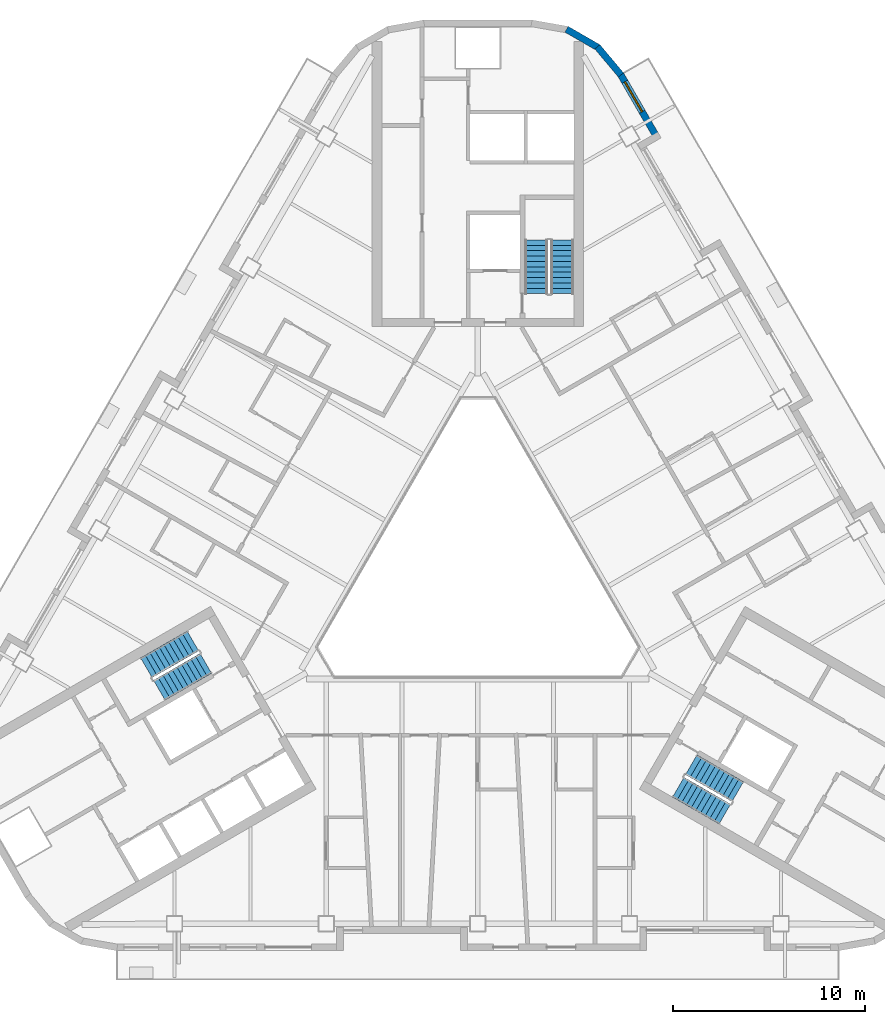
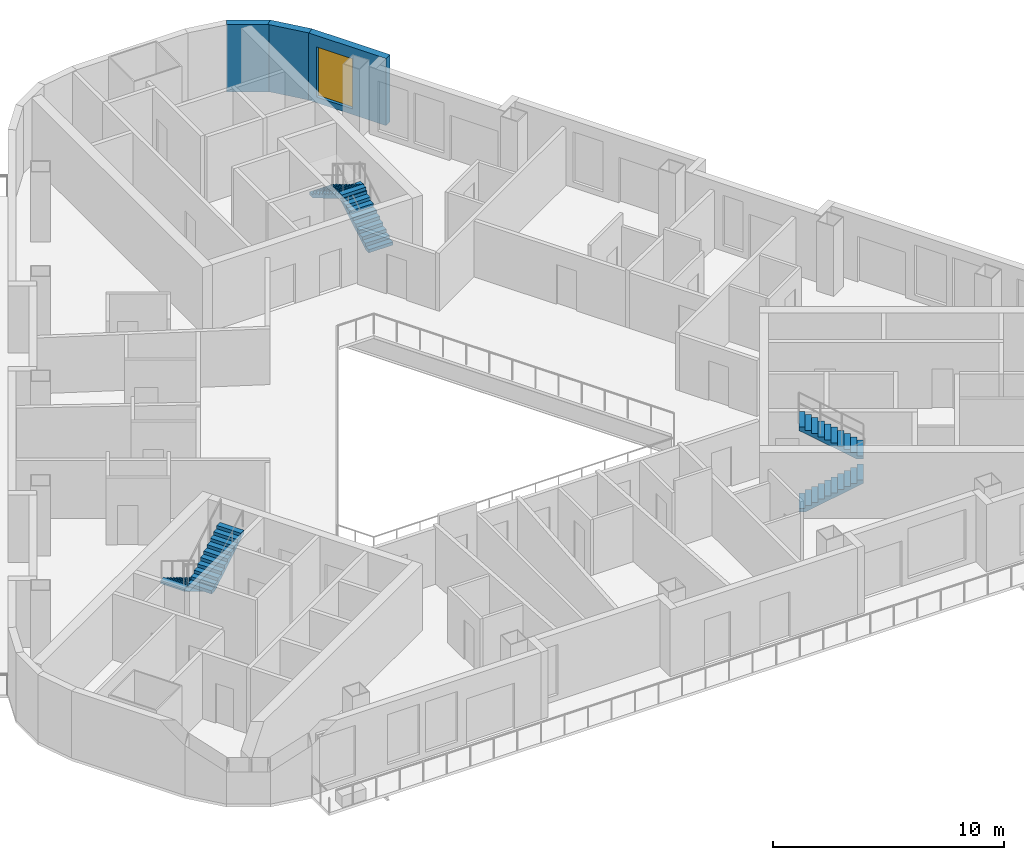
# One storey, part 8 of 14: 6 stair flights, 3 walls, 1 window, 1 opening, 3 elements without a shape of their own.
"""IFC4 building model written with IfcOpenShell, lengths in metres."""

from ifc_helpers import new_model, si_unit, direction, frame, frame_2d, origin, place, context, subcontext, project, spatial, polyline, rectangle, outline, extrude, material, layer, layer_set, type_object, element, fill, aggregate, save


model = new_model("IFC4")

# Units and contexts
model_context = context("Model", 3, precision=1e-05, world=origin(), true_north=direction((0.0, 1.0)))
body_context = subcontext(model_context, "Body", "Model", "MODEL_VIEW")
ifc_project = project(units=[si_unit("LENGTHUNIT", "METRE"), si_unit("AREAUNIT", "SQUARE_METRE"), si_unit("VOLUMEUNIT", "CUBIC_METRE"), si_unit("PLANEANGLEUNIT", "RADIAN"), si_unit("MASSUNIT", "GRAM", prefix="KILO")], contexts=[model_context])

# Site, building, storey
site_placement = place(None, origin())
site = spatial("IfcSite", under=ifc_project, at=site_placement, CompositionType="ELEMENT")
building_placement = place(site_placement, origin())
building = spatial("IfcBuilding", under=site, at=building_placement, Name="Apuvela Tower Hotel", CompositionType="ELEMENT")
storey_placement = place(building_placement, frame((0.0, 0.0, 150.300048828125)))
storey = spatial("IfcBuildingStorey", under=building, at=storey_placement, Name="L35", CompositionType="ELEMENT", Elevation=150.300048828125)

# Wall, opening, window
ifc_material_1 = material(Name="Concrete C40/50, dark pigmented precast panel", Category="concrete")
ifc_layer = layer(ifc_material_1, 0.35009765625)
ifc_layer_set = layer_set([ifc_layer], Name="ENV-WALL-350")
wall_type = type_object("IfcWallType", Name="ENV-WALL-350", PredefinedType="SOLIDWALL", material=ifc_layer_set)
wall_1_placement = place(storey_placement, frame((9.3984375, 22.631103515625, 0.0), z_axis=(0.0, 0.0, 1.0), x_axis=(-0.499954521343, 0.866051659307, 0.0)))
wall_1 = element("IfcWall", 1, at=wall_1_placement, inside=storey, type_object=wall_type, Name="External wall L35-41", PredefinedType="SOLIDWALL", context=body_context, shape_type="SweptSolid", body=[
    extrude(rectangle(XDim=3.915771484375, YDim=0.35009765625, at=frame_2d((1.9580078125, 0.0))), origin(), (0.0, 0.0, 1.0), 3.550048828125),
])
opening_placement = place(wall_1_placement, frame((1.67529296875, 0.0, 0.300048828125)))
opening = element("IfcOpeningElement", 2, at=opening_placement, cuts=wall_1, Name="Opening WN18", PredefinedType="OPENING", context=body_context, shape_type="SweptSolid", body=[
    extrude(rectangle(XDim=1.800048828125, YDim=2.64990234375, at=frame_2d((0.89990234375, 1.324951171875))), frame((0.0, 0.18505859375, 0.0), z_axis=(0.0, -1.0, 0.0), x_axis=(1.0, 0.0, 0.0)), (0.0, 0.0, 1.0), 0.3701171875),
])
ifc_material_2 = material(Name="Glass, dark tinted laminated insulated glazing unit", Category="glass")
window_type = type_object("IfcWindowType", Name="ENV-WIN-1800x2650", PartitioningType="SINGLE_PANEL", PredefinedType="WINDOW", material=ifc_material_2)
window_placement = place(opening_placement, origin())
window = element("IfcWindow", 3, at=window_placement, inside=storey, type_object=window_type, Name="Window WN18", OverallHeight=2.64990234375, OverallWidth=1.800048828125, PartitioningType="SINGLE_PANEL", PredefinedType="WINDOW", context=body_context, shape_type="SweptSolid", body=[
    extrude(rectangle(XDim=1.800048828125, YDim=2.64990234375, at=frame_2d((0.89990234375, 1.324951171875))), frame((0.0, 0.030029296875, 0.0), z_axis=(0.0, -1.0, 0.0), x_axis=(1.0, 0.0, 0.0)), (0.0, 0.0, 1.0), 0.06005859375),
])
fill(opening, window)

# Walls
wall_2_placement = place(storey_placement, frame((7.4580078125, 25.99755859375, 0.0), z_axis=(0.0, 0.0, 1.0), x_axis=(-0.642808304945, 0.766027077259, 0.0)))
element("IfcWall", 4, at=wall_2_placement, inside=storey, type_object=wall_type, Name="External wall L35-42", PredefinedType="SOLIDWALL", context=body_context, shape_type="SweptSolid", body=[
    extrude(rectangle(XDim=1.909912109375, YDim=0.35009765625, at=frame_2d((0.955078125, 0.0))), origin(), (0.0, 0.0, 1.0), 3.550048828125),
])
wall_3_placement = place(storey_placement, frame((6.27685546875, 27.421630859375, 0.0), z_axis=(0.0, 0.0, 1.0), x_axis=(-0.866032345022, 0.499987977232, 0.0)))
element("IfcWall", 5, at=wall_3_placement, inside=storey, type_object=wall_type, Name="External wall L35-43", PredefinedType="SOLIDWALL", context=body_context, shape_type="SweptSolid", body=[
    extrude(rectangle(XDim=1.91015625, YDim=0.35009765625, at=frame_2d((0.955078125, 0.0))), origin(), (0.0, 0.0, 1.0), 3.550048828125),
])

# Stair, stair flights
ifc_material_3 = material(Name="Concrete C50/60", Category="concrete")
stair_type = type_object("IfcStairType", Name="COR-STAIR-22R", PredefinedType="HALF_TURN_STAIR", material=ifc_material_3)
stair_1_placement = place(storey_placement, origin())
stair_1 = element("IfcStair", 6, at=stair_1_placement, inside=storey, type_object=stair_type, Name="L35 Exit stair ST1", PredefinedType="HALF_TURN_STAIR")
stair_flight_type = type_object("IfcStairFlightType", Name="COR-FLIGHT-11R", PredefinedType="STRAIGHT", material=ifc_material_3)
stair_flight_1_placement = place(storey_placement, frame((4.39990234375, 14.60009765625, 0.0), z_axis=(0.0, 0.0, 1.0), x_axis=(0.0, 1.0, 0.0)))
stair_flight_1 = element("IfcStairFlight", 7, at=stair_flight_1_placement, type_object=stair_flight_type, Name="ST1 flight 1", NumberOfRisers=11, NumberOfTreads=10, PredefinedType="STRAIGHT", RiserHeight=0.168181818, TreadLength=0.28, context=body_context, shape_type="SweptSolid", body=[
    extrude(outline(polyline([(0.0, 0.0), (0.0, 0.168212890625), (0.280029296875, 0.168212890625), (0.280029296875, 0.33642578125), (0.56005859375, 0.33642578125), (0.56005859375, 0.504638671875), (0.840087890625, 0.504638671875), (0.840087890625, 0.672607421875), (1.1201171875, 0.672607421875), (1.1201171875, 0.8408203125), (1.39990234375, 0.8408203125), (1.39990234375, 1.009033203125), (1.679931640625, 1.009033203125), (1.679931640625, 1.17724609375), (1.9599609375, 1.17724609375), (1.9599609375, 1.345458984375), (2.239990234375, 1.345458984375), (2.239990234375, 1.513671875), (2.52001953125, 1.513671875), (2.52001953125, 1.681884765625), (2.800048828125, 1.681884765625), (2.800048828125, 1.85009765625), (2.800048828125, 1.5068359375), (0.291015625, 0.0), (0.0, 0.0)])), frame((0.0, 0.60009765625, 0.0), z_axis=(0.0, -1.0, 0.0), x_axis=(1.0, 0.0, 0.0)), (0.0, 0.0, 1.0), 1.199951171875),
])
stair_flight_2_placement = place(storey_placement, frame((3.050048828125, 17.39990234375, 1.849853515625), z_axis=(0.0, 0.0, 1.0), x_axis=(0.0, -1.0, 0.0)))
stair_flight_2 = element("IfcStairFlight", 8, at=stair_flight_2_placement, type_object=stair_flight_type, Name="ST1 flight 2", NumberOfRisers=11, NumberOfTreads=10, PredefinedType="STRAIGHT", RiserHeight=0.168181818, TreadLength=0.28, context=body_context, shape_type="SweptSolid", body=[
    extrude(outline(polyline([(0.0, 0.0), (0.0, 0.168212890625), (0.280029296875, 0.168212890625), (0.280029296875, 0.33642578125), (0.56005859375, 0.33642578125), (0.56005859375, 0.504638671875), (0.840087890625, 0.504638671875), (0.840087890625, 0.672607421875), (1.1201171875, 0.672607421875), (1.1201171875, 0.8408203125), (1.39990234375, 0.8408203125), (1.39990234375, 1.009033203125), (1.679931640625, 1.009033203125), (1.679931640625, 1.17724609375), (1.9599609375, 1.17724609375), (1.9599609375, 1.345458984375), (2.239990234375, 1.345458984375), (2.239990234375, 1.513671875), (2.52001953125, 1.513671875), (2.52001953125, 1.681884765625), (2.800048828125, 1.681884765625), (2.800048828125, 1.85009765625), (2.800048828125, 1.5068359375), (0.291015625, 0.0), (0.0, 0.0)])), frame((0.0, 0.60009765625, 0.0), z_axis=(0.0, -1.0, 0.0), x_axis=(1.0, 0.0, 0.0)), (0.0, 0.0, 1.0), 1.199951171875),
])
aggregate(stair_1, [stair_flight_1, stair_flight_2])

stair_2_placement = place(storey_placement, origin())
stair_2 = element("IfcStair", 9, at=stair_2_placement, inside=storey, type_object=stair_type, Name="L35 Exit stair ST2", PredefinedType="HALF_TURN_STAIR")
stair_flight_3_placement = place(storey_placement, frame((-14.843994140625, -3.489501953125, 0.0), z_axis=(0.0, 0.0, 1.0), x_axis=(-0.866025403784, -0.5, 0.0)))
stair_flight_3 = element("IfcStairFlight", 10, at=stair_flight_3_placement, type_object=stair_flight_type, Name="ST2 flight 1", NumberOfRisers=11, NumberOfTreads=10, PredefinedType="STRAIGHT", RiserHeight=0.168181818, TreadLength=0.28, context=body_context, shape_type="SweptSolid", body=[
    extrude(outline(polyline([(0.0, 0.0), (0.0, 0.168212890625), (0.280029296875, 0.168212890625), (0.280029296875, 0.33642578125), (0.56005859375, 0.33642578125), (0.56005859375, 0.504638671875), (0.840087890625, 0.504638671875), (0.840087890625, 0.672607421875), (1.1201171875, 0.672607421875), (1.1201171875, 0.8408203125), (1.39990234375, 0.8408203125), (1.39990234375, 1.009033203125), (1.679931640625, 1.009033203125), (1.679931640625, 1.17724609375), (1.9599609375, 1.17724609375), (1.9599609375, 1.345458984375), (2.239990234375, 1.345458984375), (2.239990234375, 1.513671875), (2.52001953125, 1.513671875), (2.52001953125, 1.681884765625), (2.800048828125, 1.681884765625), (2.800048828125, 1.85009765625), (2.800048828125, 1.5068359375), (0.291015625, 0.0), (0.0, 0.0)])), frame((0.0, 0.60009765625, 0.0), z_axis=(0.0, -1.0, 0.0), x_axis=(1.0, 0.0, 0.0)), (0.0, 0.0, 1.0), 1.199951171875),
])
stair_flight_4_placement = place(storey_placement, frame((-16.59375, -6.05859375, 1.849853515625), z_axis=(0.0, 0.0, 1.0), x_axis=(0.866025403784, 0.5, 0.0)))
stair_flight_4 = element("IfcStairFlight", 11, at=stair_flight_4_placement, type_object=stair_flight_type, Name="ST2 flight 2", NumberOfRisers=11, NumberOfTreads=10, PredefinedType="STRAIGHT", RiserHeight=0.168181818, TreadLength=0.28, context=body_context, shape_type="SweptSolid", body=[
    extrude(outline(polyline([(0.0, 0.0), (0.0, 0.168212890625), (0.280029296875, 0.168212890625), (0.280029296875, 0.33642578125), (0.56005859375, 0.33642578125), (0.56005859375, 0.504638671875), (0.840087890625, 0.504638671875), (0.840087890625, 0.672607421875), (1.1201171875, 0.672607421875), (1.1201171875, 0.8408203125), (1.39990234375, 0.8408203125), (1.39990234375, 1.009033203125), (1.679931640625, 1.009033203125), (1.679931640625, 1.17724609375), (1.9599609375, 1.17724609375), (1.9599609375, 1.345458984375), (2.239990234375, 1.345458984375), (2.239990234375, 1.513671875), (2.52001953125, 1.513671875), (2.52001953125, 1.681884765625), (2.800048828125, 1.681884765625), (2.800048828125, 1.85009765625), (2.800048828125, 1.5068359375), (0.291015625, 0.0), (0.0, 0.0)])), frame((0.0, 0.60009765625, 0.0), z_axis=(0.0, -1.0, 0.0), x_axis=(1.0, 0.0, 0.0)), (0.0, 0.0, 1.0), 1.199951171875),
])
aggregate(stair_2, [stair_flight_3, stair_flight_4])

stair_3_placement = place(storey_placement, origin())
stair_3 = element("IfcStair", 12, at=stair_3_placement, inside=storey, type_object=stair_type, Name="L35 Exit stair ST3", PredefinedType="HALF_TURN_STAIR")
stair_flight_5_placement = place(storey_placement, frame((10.444091796875, -11.110595703125, 0.0), z_axis=(0.0, 0.0, 1.0), x_axis=(0.866025403784, -0.5, 0.0)))
stair_flight_5 = element("IfcStairFlight", 13, at=stair_flight_5_placement, type_object=stair_flight_type, Name="ST3 flight 1", NumberOfRisers=11, NumberOfTreads=10, PredefinedType="STRAIGHT", RiserHeight=0.168181818, TreadLength=0.28, context=body_context, shape_type="SweptSolid", body=[
    extrude(outline(polyline([(0.0, 0.0), (0.0, 0.168212890625), (0.280029296875, 0.168212890625), (0.280029296875, 0.33642578125), (0.56005859375, 0.33642578125), (0.56005859375, 0.504638671875), (0.840087890625, 0.504638671875), (0.840087890625, 0.672607421875), (1.1201171875, 0.672607421875), (1.1201171875, 0.8408203125), (1.39990234375, 0.8408203125), (1.39990234375, 1.009033203125), (1.679931640625, 1.009033203125), (1.679931640625, 1.17724609375), (1.9599609375, 1.17724609375), (1.9599609375, 1.345458984375), (2.239990234375, 1.345458984375), (2.239990234375, 1.513671875), (2.52001953125, 1.513671875), (2.52001953125, 1.681884765625), (2.800048828125, 1.681884765625), (2.800048828125, 1.85009765625), (2.800048828125, 1.5068359375), (0.291015625, 0.0), (0.0, 0.0)])), frame((0.0, 0.60009765625, 0.0), z_axis=(0.0, -1.0, 0.0), x_axis=(1.0, 0.0, 0.0)), (0.0, 0.0, 1.0), 1.199951171875),
])
stair_flight_6_placement = place(storey_placement, frame((13.5439453125, -11.34130859375, 1.849853515625), z_axis=(0.0, 0.0, 1.0), x_axis=(-0.866025403784, 0.5, 0.0)))
stair_flight_6 = element("IfcStairFlight", 14, at=stair_flight_6_placement, type_object=stair_flight_type, Name="ST3 flight 2", NumberOfRisers=11, NumberOfTreads=10, PredefinedType="STRAIGHT", RiserHeight=0.168181818, TreadLength=0.28, context=body_context, shape_type="SweptSolid", body=[
    extrude(outline(polyline([(0.0, 0.0), (0.0, 0.168212890625), (0.280029296875, 0.168212890625), (0.280029296875, 0.33642578125), (0.56005859375, 0.33642578125), (0.56005859375, 0.504638671875), (0.840087890625, 0.504638671875), (0.840087890625, 0.672607421875), (1.1201171875, 0.672607421875), (1.1201171875, 0.8408203125), (1.39990234375, 0.8408203125), (1.39990234375, 1.009033203125), (1.679931640625, 1.009033203125), (1.679931640625, 1.17724609375), (1.9599609375, 1.17724609375), (1.9599609375, 1.345458984375), (2.239990234375, 1.345458984375), (2.239990234375, 1.513671875), (2.52001953125, 1.513671875), (2.52001953125, 1.681884765625), (2.800048828125, 1.681884765625), (2.800048828125, 1.85009765625), (2.800048828125, 1.5068359375), (0.291015625, 0.0), (0.0, 0.0)])), frame((0.0, 0.60009765625, 0.0), z_axis=(0.0, -1.0, 0.0), x_axis=(1.0, 0.0, 0.0)), (0.0, 0.0, 1.0), 1.199951171875),
])
aggregate(stair_3, [stair_flight_5, stair_flight_6])

save(model, "model.ifc")
